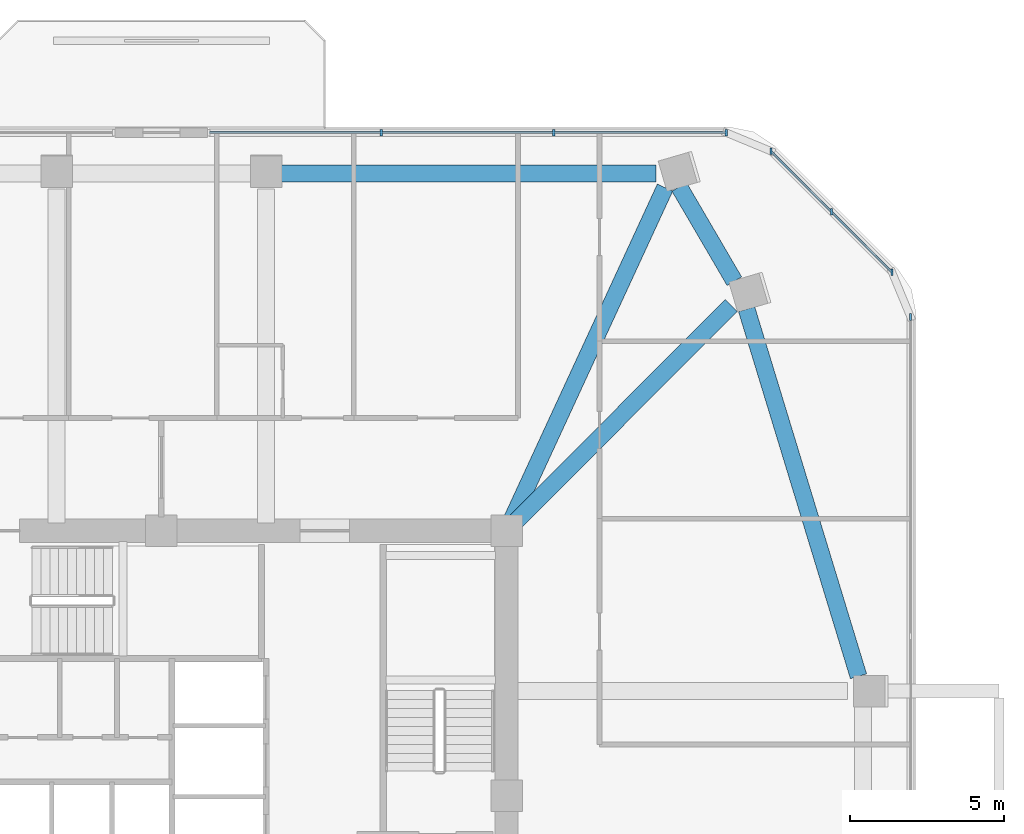
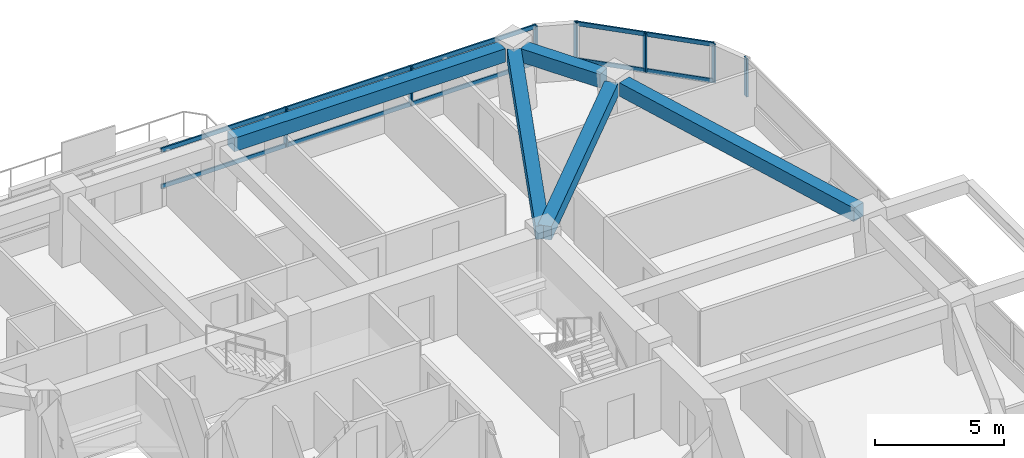
# One storey, part 6 of 13: 11 members, 5 beams, 3 elements without a shape of their own.
"""IFC4 building model written with IfcOpenShell, lengths in metres."""

from ifc_helpers import new_model, si_unit, derived_unit, direction, frame, origin, origin_2d, place, context, subcontext, project, spatial, rectangle, extrude, material, material_profile, profile_set, type_object, element, aggregate, save


model = new_model("IFC4")

# Units and contexts
model_context = context("Model", 3, precision=1e-05, world=origin(), true_north=direction((0.0, 1.0)))
body_context = subcontext(model_context, "Body", "Model", "MODEL_VIEW")
ifc_project = project(units=[si_unit("LENGTHUNIT", "METRE"), si_unit("AREAUNIT", "SQUARE_METRE"), si_unit("VOLUMEUNIT", "CUBIC_METRE"), si_unit("PLANEANGLEUNIT", "RADIAN"), si_unit("MASSUNIT", "GRAM", prefix="KILO"), derived_unit("THERMALTRANSMITTANCEUNIT", [(si_unit("POWERUNIT", "WATT"), 1), (si_unit("LENGTHUNIT", "METRE"), -2), (si_unit("THERMODYNAMICTEMPERATUREUNIT", "KELVIN"), -1)])], contexts=[model_context])

# Site, building, storey
site_placement = place(None, origin())
site = spatial("IfcSite", under=ifc_project, at=site_placement, CompositionType="ELEMENT")
building_placement = place(site_placement, origin())
building = spatial("IfcBuilding", under=site, at=building_placement, Name="Koralith Skygarden Medical Center", CompositionType="ELEMENT")
storey_placement = place(building_placement, frame((0.0, 0.0, 117.179931640625)))
storey = spatial("IfcBuildingStorey", under=building, at=storey_placement, Name="L30", CompositionType="ELEMENT", Elevation=117.179931640625)

# Curtain wall, member
ifc_material_1 = material(Name="Clear Laminated Glass", Category="glass")
curtain_wall_type = type_object("IfcCurtainWallType", Name="CW-3 Zone 2 Faceted Solar Curtain Wall", PredefinedType="NOTDEFINED", material=ifc_material_1)
curtain_wall_1_placement = place(storey_placement, origin())
curtain_wall_1 = element("IfcCurtainWall", 1, at=curtain_wall_1_placement, inside=storey, type_object=curtain_wall_type, Name="Curtain Wall CW-L30-E", PredefinedType="NOTDEFINED")
ifc_material_2 = material(Name="Aluminium 6063-T6", Category="aluminium")
ifc_material_profile_1 = material_profile(ifc_material_2, rectangle(XDim=0.073974609375, YDim=0.219970703125, at=origin_2d()), Name="MUL74X220")
ifc_profile_set_1 = profile_set([ifc_material_profile_1], Name="Aluminium 6063-T6")
member_type_1 = type_object("IfcMemberType", Name="CW-3 Extruded Mullion 74x220", PredefinedType="MULLION", material=ifc_profile_set_1)
member_1_placement = place(storey_placement, frame((61.302001953125, 41.43701171875, 0.85009765625), z_axis=(0.0, 0.0, 1.0), x_axis=(1.0, 0.0, 0.0)))
member_1 = element("IfcMember", 2, at=member_1_placement, type_object=member_type_1, Name="CW-L30-E Mullion 4", PredefinedType="MULLION", context=body_context, shape_type="SweptSolid", body=[
    extrude(rectangle(XDim=0.073974609375, YDim=0.219970703125, at=origin_2d()), origin(), (0.0, 0.0, 1.0), 1.820068359375),
])
aggregate(curtain_wall_1, [member_1])

# Curtain wall, members
curtain_wall_2_placement = place(storey_placement, origin())
curtain_wall_2 = element("IfcCurtainWall", 3, at=curtain_wall_2_placement, inside=storey, type_object=curtain_wall_type, Name="Curtain Wall CW-L30-NE", PredefinedType="NOTDEFINED")
member_2_placement = place(storey_placement, frame((60.699951171875, 42.887939453125, 0.85009765625), z_axis=(0.0, 0.0, 1.0), x_axis=(1.0, 0.0, 0.0)))
member_2 = element("IfcMember", 4, at=member_2_placement, type_object=member_type_1, Name="CW-L30-NE Mullion 1", PredefinedType="MULLION", context=body_context, shape_type="SweptSolid", body=[
    extrude(rectangle(XDim=0.073974609375, YDim=0.219970703125, at=origin_2d()), origin(), (0.0, 0.0, 1.0), 1.820068359375),
])
member_3_placement = place(storey_placement, frame((58.739013671875, 44.84912109375, 0.85009765625), z_axis=(0.0, 0.0, 1.0), x_axis=(1.0, 0.0, 0.0)))
member_3 = element("IfcMember", 5, at=member_3_placement, type_object=member_type_1, Name="CW-L30-NE Mullion 2", PredefinedType="MULLION", context=body_context, shape_type="SweptSolid", body=[
    extrude(rectangle(XDim=0.073974609375, YDim=0.219970703125, at=origin_2d()), origin(), (0.0, 0.0, 1.0), 1.820068359375),
])
member_4_placement = place(storey_placement, frame((56.777099609375, 46.81103515625, 0.85009765625), z_axis=(0.0, 0.0, 1.0), x_axis=(1.0, 0.0, 0.0)))
member_4 = element("IfcMember", 6, at=member_4_placement, type_object=member_type_1, Name="CW-L30-NE Mullion 3", PredefinedType="MULLION", context=body_context, shape_type="SweptSolid", body=[
    extrude(rectangle(XDim=0.073974609375, YDim=0.219970703125, at=origin_2d()), origin(), (0.0, 0.0, 1.0), 1.820068359375),
])

curtain_wall_3_placement = place(storey_placement, origin())
curtain_wall_3 = element("IfcCurtainWall", 7, at=curtain_wall_3_placement, inside=storey, type_object=curtain_wall_type, Name="Curtain Wall CW-L30-N-L", PredefinedType="NOTDEFINED")
member_5_placement = place(storey_placement, frame((55.325927734375, 47.412109375, 0.85009765625), z_axis=(0.0, 0.0, 1.0), x_axis=(1.0, 0.0, 0.0)))
member_5 = element("IfcMember", 8, at=member_5_placement, type_object=member_type_1, Name="CW-L30-N-L Mullion 1", PredefinedType="MULLION", context=body_context, shape_type="SweptSolid", body=[
    extrude(rectangle(XDim=0.073974609375, YDim=0.219970703125, at=origin_2d()), origin(), (0.0, 0.0, 1.0), 1.820068359375),
])
member_6_placement = place(storey_placement, frame((49.73095703125, 47.412109375, 0.85009765625), z_axis=(0.0, 0.0, 1.0), x_axis=(1.0, 0.0, 0.0)))
member_6 = element("IfcMember", 9, at=member_6_placement, type_object=member_type_1, Name="CW-L30-N-L Mullion 2", PredefinedType="MULLION", context=body_context, shape_type="SweptSolid", body=[
    extrude(rectangle(XDim=0.073974609375, YDim=0.219970703125, at=origin_2d()), origin(), (0.0, 0.0, 1.0), 1.820068359375),
])
member_7_placement = place(storey_placement, frame((44.135009765625, 47.412109375, 0.85009765625), z_axis=(0.0, 0.0, 1.0), x_axis=(1.0, 0.0, 0.0)))
member_7 = element("IfcMember", 10, at=member_7_placement, type_object=member_type_1, Name="CW-L30-N-L Mullion 3", PredefinedType="MULLION", context=body_context, shape_type="SweptSolid", body=[
    extrude(rectangle(XDim=0.073974609375, YDim=0.219970703125, at=origin_2d()), origin(), (0.0, 0.0, 1.0), 1.820068359375),
])

# Member
ifc_material_profile_2 = material_profile(ifc_material_2, rectangle(XDim=0.069091796875, YDim=0.197998046875, at=origin_2d()), Name="TRN69X198")
ifc_profile_set_2 = profile_set([ifc_material_profile_2], Name="Aluminium 6063-T6")
member_type_2 = type_object("IfcMemberType", Name="CW-3 Thermal Transom 69x198", PredefinedType="USERDEFINED", material=ifc_profile_set_2)
member_8_placement = place(storey_placement, frame((60.699951171875, 42.887939453125, 0.900146484375), z_axis=(-0.707084777957, 0.707128783731, 0.0), x_axis=(-0.707128783731, -0.707084777957, 0.0)))
member_8 = element("IfcMember", 11, at=member_8_placement, type_object=member_type_2, Name="CW-L30-NE Transom 1", ObjectType="TRANSOM", PredefinedType="USERDEFINED", context=body_context, shape_type="SweptSolid", body=[
    extrude(rectangle(XDim=0.069091796875, YDim=0.197998046875, at=origin_2d()), origin(), (0.0, 0.0, 1.0), 5.5478515625),
])

member_9_placement = place(storey_placement, frame((60.699951171875, 42.887939453125, 2.6201171875), z_axis=(-0.707084777957, 0.707128783731, 0.0), x_axis=(-0.707128783731, -0.707084777957, 0.0)))
member_9 = element("IfcMember", 12, at=member_9_placement, type_object=member_type_2, Name="CW-L30-NE Transom 2", ObjectType="TRANSOM", PredefinedType="USERDEFINED", context=body_context, shape_type="SweptSolid", body=[
    extrude(rectangle(XDim=0.069091796875, YDim=0.197998046875, at=origin_2d()), origin(), (0.0, 0.0, 1.0), 5.5478515625),
])

aggregate(curtain_wall_2, [member_2, member_3, member_4, member_8, member_9])

member_10_placement = place(storey_placement, frame((55.325927734375, 47.412109375, 0.900146484375), z_axis=(-1.0, 0.0, 0.0), x_axis=(0.0, -1.0, 0.0)))
member_10 = element("IfcMember", 13, at=member_10_placement, type_object=member_type_2, Name="CW-L30-N-L Transom 1", ObjectType="TRANSOM", PredefinedType="USERDEFINED", context=body_context, shape_type="SweptSolid", body=[
    extrude(rectangle(XDim=0.069091796875, YDim=0.197998046875, at=origin_2d()), origin(), (0.0, 0.0, 1.0), 16.785888671875),
])

member_11_placement = place(storey_placement, frame((55.325927734375, 47.412109375, 2.6201171875), z_axis=(-1.0, 0.0, 0.0), x_axis=(0.0, -1.0, 0.0)))
member_11 = element("IfcMember", 14, at=member_11_placement, type_object=member_type_2, Name="CW-L30-N-L Transom 2", ObjectType="TRANSOM", PredefinedType="USERDEFINED", context=body_context, shape_type="SweptSolid", body=[
    extrude(rectangle(XDim=0.069091796875, YDim=0.197998046875, at=origin_2d()), origin(), (0.0, 0.0, 1.0), 16.785888671875),
])

aggregate(curtain_wall_3, [member_5, member_6, member_7, member_10, member_11])

# Beams
ifc_material_3 = material(Name="Concrete C45/55", Category="concrete")
ifc_material_profile_3 = material_profile(ifc_material_3, rectangle(XDim=0.550048828125, YDim=0.639892578125, at=origin_2d()), Name="RCB550X640")
ifc_profile_set_3 = profile_set([ifc_material_profile_3], Name="Concrete C45/55")
beam_type_1 = type_object("IfcBeamType", Name="Radial Collector Beam RCB550X640", PredefinedType="BEAM", material=ifc_profile_set_3)
beam_1_placement = place(storey_placement, frame((48.3759765625, 34.677001953125, 3.0), z_axis=(0.706015026084, 0.708196853243, 0.0), x_axis=(-0.708196853243, 0.706015026084, 0.0)))
element("IfcBeam", 15, at=beam_1_placement, inside=storey, type_object=beam_type_1, Name="L30 Radial Collector Beam RB-10", PredefinedType="BEAM", context=body_context, shape_type="SweptSolid", body=[
    extrude(rectangle(XDim=0.550048828125, YDim=0.639892578125, at=origin_2d()), origin(), (0.0, 0.0, 1.0), 10.07080078125),
])
beam_2_placement = place(storey_placement, frame((48.304931640625, 34.72705078125, 3.0), z_axis=(0.419118772133, 0.907931415276, 0.0), x_axis=(-0.907931415276, 0.419118772133, 0.0)))
element("IfcBeam", 16, at=beam_2_placement, inside=storey, type_object=beam_type_1, Name="L30 Radial Collector Beam RB-11", PredefinedType="BEAM", context=body_context, shape_type="SweptSolid", body=[
    extrude(rectangle(XDim=0.550048828125, YDim=0.639892578125, at=origin_2d()), origin(), (0.0, 0.0, 1.0), 12.008544921875),
])
ifc_material_profile_4 = material_profile(ifc_material_3, rectangle(XDim=0.550048828125, YDim=0.639892578125, at=origin_2d()), Name="RCB550X640")
ifc_profile_set_4 = profile_set([ifc_material_profile_4], Name="Concrete C45/55")
beam_type_2 = type_object("IfcBeamType", Name="Zone 2-3 Spandrel Beam RCB550X640", PredefinedType="SPANDREL", material=ifc_profile_set_4)
beam_3_placement = place(storey_placement, frame((59.614013671875, 29.778076171875, 3.0), z_axis=(-0.29153231272, 0.95656098114, 0.0), x_axis=(-0.95656098114, -0.29153231272, 0.0)))
element("IfcBeam", 17, at=beam_3_placement, inside=storey, type_object=beam_type_2, Name="L30 Perimeter Spandrel Beam SP-09", PredefinedType="SPANDREL", context=body_context, shape_type="SweptSolid", body=[
    extrude(rectangle(XDim=0.550048828125, YDim=0.639892578125, at=origin_2d()), origin(), (0.0, 0.0, 1.0), 12.44775390625),
])
beam_4_placement = place(storey_placement, frame((55.5869140625, 42.594970703125, 3.0), z_axis=(-0.504616741927, 0.863343468016, 0.0), x_axis=(-0.863343468016, -0.504616741927, 0.0)))
element("IfcBeam", 18, at=beam_4_placement, inside=storey, type_object=beam_type_2, Name="L30 Perimeter Spandrel Beam SP-10", PredefinedType="SPANDREL", context=body_context, shape_type="SweptSolid", body=[
    extrude(rectangle(XDim=0.550048828125, YDim=0.639892578125, at=origin_2d()), origin(), (0.0, 0.0, 1.0), 3.541015625),
])
beam_5_placement = place(storey_placement, frame((53.048095703125, 46.083984375, 3.0), z_axis=(-1.0, 0.0, 0.0), x_axis=(0.0, -1.0, 0.0)))
element("IfcBeam", 19, at=beam_5_placement, inside=storey, type_object=beam_type_2, Name="L30 Perimeter Spandrel Beam SP-11", PredefinedType="SPANDREL", context=body_context, shape_type="SweptSolid", body=[
    extrude(rectangle(XDim=0.550048828125, YDim=0.639892578125, at=origin_2d()), origin(), (0.0, 0.0, 1.0), 12.148193359375),
])

save(model, "model.ifc")
